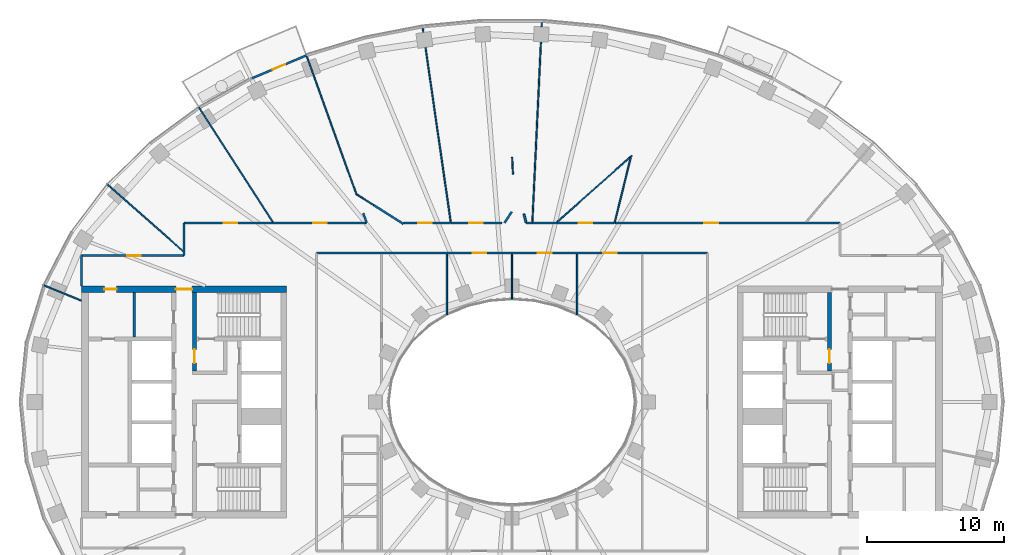
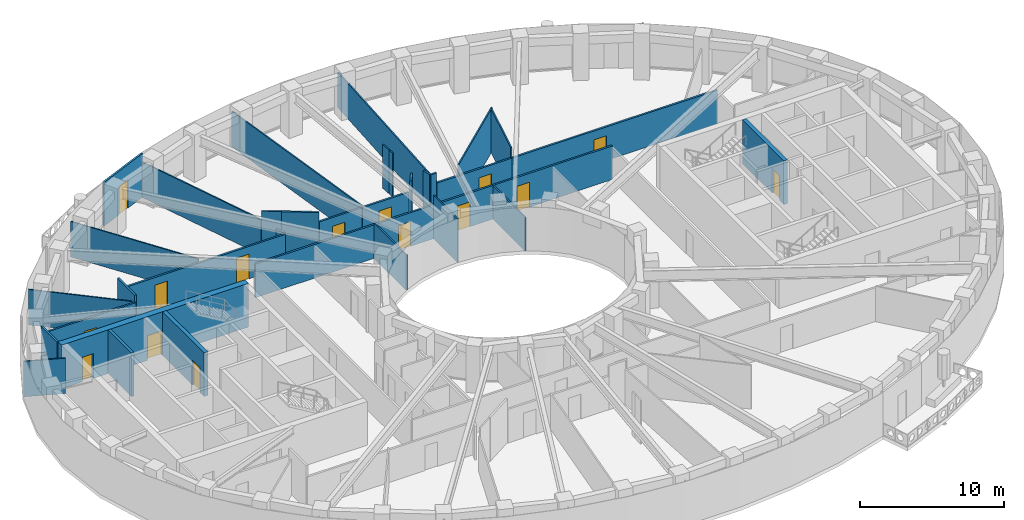
# One storey, part 6 of 15: 33 walls, 15 doors, 15 openings.
"""IFC4 building model written with IfcOpenShell, lengths in metres."""

from ifc_helpers import new_model, si_unit, direction, frame, frame_2d, origin, place, context, subcontext, project, spatial, rectangle, extrude, material, layer, layer_set, type_object, element, fill, save


model = new_model("IFC4")

# Units and contexts
model_context = context("Model", 3, precision=1e-05, world=origin(), true_north=direction((0.0, 1.0)))
body_context = subcontext(model_context, "Body", "Model", "MODEL_VIEW")
ifc_project = project(units=[si_unit("LENGTHUNIT", "METRE"), si_unit("AREAUNIT", "SQUARE_METRE"), si_unit("VOLUMEUNIT", "CUBIC_METRE"), si_unit("PLANEANGLEUNIT", "RADIAN"), si_unit("MASSUNIT", "GRAM", prefix="KILO")], contexts=[model_context])

# Site, building, storey
site_placement = place(None, origin())
site = spatial("IfcSite", under=ifc_project, at=site_placement, CompositionType="ELEMENT")
building_placement = place(site_placement, origin())
building = spatial("IfcBuilding", under=site, at=building_placement, Name="Noorbagh Ring Tower", CompositionType="ELEMENT")
storey_placement = place(building_placement, frame((0.0, 0.0, 241.5)))
storey = spatial("IfcBuildingStorey", under=building, at=storey_placement, Name="L50", CompositionType="ELEMENT", Elevation=241.5)

# Wall
ifc_material_1 = material(Name="Gypsum board on steel studs", Category="steel")
ifc_layer_1 = layer(ifc_material_1, 0.199951171875)
ifc_layer_set_1 = layer_set([ifc_layer_1], Name="Gypsum board on steel studs")
wall_type_1 = type_object("IfcWallType", Name="CORE-PARTITION-200", PredefinedType="PARTITIONING", material=ifc_layer_set_1)
wall_1_placement = place(storey_placement, frame((-27.64990234375, 4.75, 0.0), z_axis=(0.0, 0.0, 1.0), x_axis=(0.0, 1.0, 0.0)))
element("IfcWall", 1, at=wall_1_placement, inside=storey, type_object=wall_type_1, Name="Core partition W", PredefinedType="PARTITIONING", context=body_context, shape_type="SweptSolid", body=[
    extrude(rectangle(XDim=3.25, YDim=0.199951171875, at=frame_2d((1.625, 0.0))), origin(), (0.0, 0.0, 1.0), 3.699951171875),
])

# Wall, opening, door
ifc_material_2 = material(Name="Concrete C60/75", Category="concrete")
ifc_layer_2 = layer(ifc_material_2, 0.300048828125)
ifc_layer_set_2 = layer_set([ifc_layer_2], Name="Concrete C60/75")
wall_type_2 = type_object("IfcWallType", Name="CORE-WALL-300-C60-75-EI240", PredefinedType="SHEAR", material=ifc_layer_set_2)
wall_2_placement = place(storey_placement, frame((-23.22998046875, 2.25, 0.0), z_axis=(0.0, 0.0, 1.0), x_axis=(0.0, 1.0, 0.0)))
wall_2 = element("IfcWall", 2, at=wall_2_placement, inside=storey, type_object=wall_type_2, Name="Core wall W", PredefinedType="SHEAR", context=body_context, shape_type="SweptSolid", body=[
    extrude(rectangle(XDim=5.75, YDim=0.300048828125, at=frame_2d((2.875, 0.0))), origin(), (0.0, 0.0, 1.0), 3.699951171875),
])
opening_1_placement = place(wall_2_placement, frame((0.60009765625, 0.0, 0.0)))
opening_1 = element("IfcOpeningElement", 3, at=opening_1_placement, cuts=wall_2, Name="Opening L50-CW09", PredefinedType="OPENING", context=body_context, shape_type="SweptSolid", body=[
    extrude(rectangle(XDim=1.0, YDim=2.10009765625, at=frame_2d((0.5, 1.050048828125))), frame((0.0, 0.16015625, 0.0), z_axis=(0.0, -1.0, 0.0), x_axis=(1.0, 0.0, 0.0)), (0.0, 0.0, 1.0), 0.320068359375),
])
ifc_material_3 = material(Name="Steel door leaf", Category="steel")
door_type_1 = type_object("IfcDoorType", Name="CORE-DOOR-DVEST", OperationType="SINGLE_SWING_LEFT", PredefinedType="DOOR", material=ifc_material_3)
door_1_placement = place(opening_1_placement, origin())
door_1 = element("IfcDoor", 4, at=door_1_placement, inside=storey, type_object=door_type_1, Name="Stair vestibule door L50-CW09", OperationType="SINGLE_SWING_LEFT", OverallHeight=2.10009765625, OverallWidth=1.0, PredefinedType="DOOR", context=body_context, shape_type="SweptSolid", body=[
    extrude(rectangle(XDim=1.0, YDim=2.10009765625, at=frame_2d((0.5, 1.050048828125))), frame((0.0, 0.02490234375, 0.0), z_axis=(0.0, -1.0, 0.0), x_axis=(1.0, 0.0, 0.0)), (0.0, 0.0, 1.0), 0.050048828125),
])
fill(opening_1, door_1)

wall_3_placement = place(storey_placement, frame((23.22998046875, 2.25, 0.0), z_axis=(0.0, 0.0, 1.0), x_axis=(0.0, 1.0, 0.0)))
wall_3 = element("IfcWall", 5, at=wall_3_placement, inside=storey, type_object=wall_type_2, Name="Core wall E", PredefinedType="SHEAR", context=body_context, shape_type="SweptSolid", body=[
    extrude(rectangle(XDim=5.75, YDim=0.300048828125, at=frame_2d((2.875, 0.0))), origin(), (0.0, 0.0, 1.0), 3.699951171875),
])
opening_2_placement = place(wall_3_placement, frame((0.60009765625, 0.0, 0.0)))
opening_2 = element("IfcOpeningElement", 6, at=opening_2_placement, cuts=wall_3, Name="Opening L50-CE10", PredefinedType="OPENING", context=body_context, shape_type="SweptSolid", body=[
    extrude(rectangle(XDim=1.0, YDim=2.10009765625, at=frame_2d((0.5, 1.050048828125))), frame((0.0, 0.16015625, 0.0), z_axis=(0.0, -1.0, 0.0), x_axis=(1.0, 0.0, 0.0)), (0.0, 0.0, 1.0), 0.320068359375),
])
door_2_placement = place(opening_2_placement, origin())
door_2 = element("IfcDoor", 7, at=door_2_placement, inside=storey, type_object=door_type_1, Name="Stair vestibule door L50-CE10", OperationType="SINGLE_SWING_RIGHT", OverallHeight=2.10009765625, OverallWidth=1.0, PredefinedType="DOOR", context=body_context, shape_type="SweptSolid", body=[
    extrude(rectangle(XDim=1.0, YDim=2.10009765625, at=frame_2d((0.5, 1.050048828125))), frame((0.0, 0.02490234375, 0.0), z_axis=(0.0, -1.0, 0.0), x_axis=(1.0, 0.0, 0.0)), (0.0, 0.0, 1.0), 0.050048828125),
])
fill(opening_2, door_2)

# Wall, openings, doors
ifc_material_4 = material(Name="Concrete C60/75", Category="concrete")
ifc_layer_3 = layer(ifc_material_4, 0.5)
ifc_layer_set_3 = layer_set([ifc_layer_3], Name="Concrete C60/75")
wall_type_3 = type_object("IfcWallType", Name="CORE-WALL-500-C60-75-EI240", PredefinedType="SHEAR", material=ifc_layer_set_3)
wall_4_placement = place(storey_placement, frame((-16.5, 8.25, 0.0), z_axis=(0.0, 0.0, 1.0), x_axis=(-1.0, 0.0, 0.0)))
wall_4 = element("IfcWall", 8, at=wall_4_placement, inside=storey, type_object=wall_type_3, Name="Core wall W", PredefinedType="SHEAR", context=body_context, shape_type="SweptSolid", body=[
    extrude(rectangle(XDim=15.0, YDim=0.5, at=frame_2d((7.5, 0.0))), origin(), (0.0, 0.0, 1.0), 3.699951171875),
])
opening_3_placement = place(wall_4_placement, frame((6.89990234375, 0.0, 0.0)))
opening_3 = element("IfcOpeningElement", 9, at=opening_3_placement, cuts=wall_4, Name="Opening L50-CW10", PredefinedType="OPENING", context=body_context, shape_type="SweptSolid", body=[
    extrude(rectangle(XDim=1.199951171875, YDim=2.10009765625, at=frame_2d((0.60009765625, 1.050048828125))), frame((0.0, 0.260009765625, 0.0), z_axis=(0.0, -1.0, 0.0), x_axis=(1.0, 0.0, 0.0)), (0.0, 0.0, 1.0), 0.52001953125),
])
opening_4_placement = place(wall_4_placement, frame((12.425048828125, 0.0, 0.0)))
opening_4 = element("IfcOpeningElement", 10, at=opening_4_placement, cuts=wall_4, Name="Opening L50-CW13", PredefinedType="OPENING", context=body_context, shape_type="SweptSolid", body=[
    extrude(rectangle(XDim=0.89990234375, YDim=2.10009765625, at=frame_2d((0.449951171875, 1.050048828125))), frame((0.0, 0.260009765625, 0.0), z_axis=(0.0, -1.0, 0.0), x_axis=(1.0, 0.0, 0.0)), (0.0, 0.0, 1.0), 0.52001953125),
])
ifc_material_5 = material(Name="Steel door leaf", Category="steel")
door_type_2 = type_object("IfcDoorType", Name="CORE-DOOR-DROOM", OperationType="SINGLE_SWING_LEFT", PredefinedType="DOOR", material=ifc_material_5)
door_3_placement = place(opening_4_placement, origin())
door_3 = element("IfcDoor", 11, at=door_3_placement, inside=storey, type_object=door_type_2, Name="Core room door L50-CW13", OperationType="SINGLE_SWING_RIGHT", OverallHeight=2.10009765625, OverallWidth=0.89990234375, PredefinedType="DOOR", context=body_context, shape_type="SweptSolid", body=[
    extrude(rectangle(XDim=0.89990234375, YDim=2.10009765625, at=frame_2d((0.449951171875, 1.050048828125))), frame((0.0, 0.02490234375, 0.0), z_axis=(0.0, -1.0, 0.0), x_axis=(1.0, 0.0, 0.0)), (0.0, 0.0, 1.0), 0.050048828125),
])
fill(opening_4, door_3)
ifc_material_6 = material(Name="Steel door leaf", Category="steel")
door_type_3 = type_object("IfcDoorType", Name="CORE-DOOR-PORT", OperationType="DOUBLE_DOOR_DOUBLE_SWING", PredefinedType="DOOR", material=ifc_material_6)
door_4_placement = place(opening_3_placement, origin())
door_4 = element("IfcDoor", 12, at=door_4_placement, inside=storey, type_object=door_type_3, Name="Core entrance door L50-CW10", OperationType="DOUBLE_DOOR_DOUBLE_SWING", OverallHeight=2.10009765625, OverallWidth=1.199951171875, PredefinedType="DOOR", context=body_context, shape_type="SweptSolid", body=[
    extrude(rectangle(XDim=1.199951171875, YDim=2.10009765625, at=frame_2d((0.60009765625, 1.050048828125))), frame((0.0, 0.02490234375, 0.0), z_axis=(0.0, -1.0, 0.0), x_axis=(1.0, 0.0, 0.0)), (0.0, 0.0, 1.0), 0.050048828125),
])
fill(opening_3, door_4)

# Wall
ifc_material_7 = material(Name="Gypsum board on steel studs", Category="steel")
ifc_layer_4 = layer(ifc_material_7, 0.14990234375)
ifc_layer_set_4 = layer_set([ifc_layer_4], Name="Gypsum board on steel studs")
wall_type_4 = type_object("IfcWallType", Name="CORRIDOR PARTITION 150 EI 30", PredefinedType="PARTITIONING", material=ifc_layer_set_4)
wall_5_placement = place(storey_placement, frame((-31.5, 8.5, 0.0), z_axis=(0.0, 0.0, 1.0), x_axis=(0.0, 1.0, 0.0)))
element("IfcWall", 13, at=wall_5_placement, inside=storey, type_object=wall_type_4, Name="L50/wall/P04", PredefinedType="PARTITIONING", context=body_context, shape_type="SweptSolid", body=[
    extrude(rectangle(XDim=2.199951171875, YDim=0.14990234375, at=frame_2d((1.10009765625, 0.0))), origin(), (0.0, 0.0, 1.0), 3.699951171875),
])

# Wall, opening, door
wall_6_placement = place(storey_placement, frame((-31.5, 10.699951171875, 0.0), z_axis=(0.0, 0.0, 1.0), x_axis=(1.0, 0.0, 0.0)))
wall_6 = element("IfcWall", 14, at=wall_6_placement, inside=storey, type_object=wall_type_4, Name="L50/wall/P05", PredefinedType="PARTITIONING", context=body_context, shape_type="SweptSolid", body=[
    extrude(rectangle(XDim=7.5, YDim=0.14990234375, at=frame_2d((3.75, 0.0))), origin(), (0.0, 0.0, 1.0), 3.10009765625),
])
opening_5_placement = place(wall_6_placement, frame((3.35009765625, 0.0, 0.0)))
opening_5 = element("IfcOpeningElement", 15, at=opening_5_placement, cuts=wall_6, Name="Opening D1", PredefinedType="OPENING", context=body_context, shape_type="SweptSolid", body=[
    extrude(rectangle(XDim=1.0, YDim=2.10009765625, at=frame_2d((0.5, 1.050048828125))), frame((0.0, 0.0849609375, 0.0), z_axis=(0.0, -1.0, 0.0), x_axis=(1.0, 0.0, 0.0)), (0.0, 0.0, 1.0), 0.169921875),
])
ifc_material_8 = material(Name="Timber, painted", Category="wood")
door_type_4 = type_object("IfcDoorType", Name="DOOR 1000 X 2100 FD30", OperationType="SINGLE_SWING_LEFT", PredefinedType="DOOR", material=ifc_material_8)
door_5_placement = place(opening_5_placement, origin())
door_5 = element("IfcDoor", 16, at=door_5_placement, inside=storey, type_object=door_type_4, Name="L50-D07", OperationType="SINGLE_SWING_LEFT", OverallHeight=2.10009765625, OverallWidth=1.0, PredefinedType="DOOR", context=body_context, shape_type="SweptSolid", body=[
    extrude(rectangle(XDim=1.0, YDim=2.10009765625, at=frame_2d((0.5, 1.050048828125))), frame((0.0, 0.02490234375, 0.0), z_axis=(0.0, -1.0, 0.0), x_axis=(1.0, 0.0, 0.0)), (0.0, 0.0, 1.0), 0.050048828125),
])
fill(opening_5, door_5)

# Wall
wall_7_placement = place(storey_placement, frame((-24.0, 10.699951171875, 0.0), z_axis=(0.0, 0.0, 1.0), x_axis=(0.0, 1.0, 0.0)))
element("IfcWall", 17, at=wall_7_placement, inside=storey, type_object=wall_type_4, Name="L50/wall/P10", PredefinedType="PARTITIONING", context=body_context, shape_type="SweptSolid", body=[
    extrude(rectangle(XDim=2.400146484375, YDim=0.14990234375, at=frame_2d((1.2001953125, 0.0))), origin(), (0.0, 0.0, 1.0), 3.699951171875),
])

# Wall, openings, doors
wall_8_placement = place(storey_placement, frame((-24.0, 13.10009765625, 0.0), z_axis=(0.0, 0.0, 1.0), x_axis=(1.0, 0.0, 0.0)))
wall_8 = element("IfcWall", 18, at=wall_8_placement, inside=storey, type_object=wall_type_4, Name="L50/wall/P11", PredefinedType="PARTITIONING", context=body_context, shape_type="SweptSolid", body=[
    extrude(rectangle(XDim=13.35693359375, YDim=0.14990234375, at=frame_2d((6.678466796875, 0.0))), origin(), (0.0, 0.0, 1.0), 2.75),
])
opening_6_placement = place(wall_8_placement, frame((2.89306640625, 0.0, 0.0)))
opening_6 = element("IfcOpeningElement", 19, at=opening_6_placement, cuts=wall_8, Name="Opening D1", PredefinedType="OPENING", context=body_context, shape_type="SweptSolid", body=[
    extrude(rectangle(XDim=1.0, YDim=2.10009765625, at=frame_2d((0.5, 1.050048828125))), frame((0.0, 0.0849609375, 0.0), z_axis=(0.0, -1.0, 0.0), x_axis=(1.0, 0.0, 0.0)), (0.0, 0.0, 1.0), 0.169921875),
])
opening_7_placement = place(wall_8_placement, frame((9.45703125, 0.0, 0.0)))
opening_7 = element("IfcOpeningElement", 20, at=opening_7_placement, cuts=wall_8, Name="Opening D1", PredefinedType="OPENING", context=body_context, shape_type="SweptSolid", body=[
    extrude(rectangle(XDim=1.0, YDim=2.10009765625, at=frame_2d((0.5, 1.050048828125))), frame((0.0, 0.0849609375, 0.0), z_axis=(0.0, -1.0, 0.0), x_axis=(1.0, 0.0, 0.0)), (0.0, 0.0, 1.0), 0.169921875),
])
door_6_placement = place(opening_6_placement, origin())
door_6 = element("IfcDoor", 21, at=door_6_placement, inside=storey, type_object=door_type_4, Name="L50-D09", OperationType="SINGLE_SWING_LEFT", OverallHeight=2.10009765625, OverallWidth=1.0, PredefinedType="DOOR", context=body_context, shape_type="SweptSolid", body=[
    extrude(rectangle(XDim=1.0, YDim=2.10009765625, at=frame_2d((0.5, 1.050048828125))), frame((0.0, 0.02490234375, 0.0), z_axis=(0.0, -1.0, 0.0), x_axis=(1.0, 0.0, 0.0)), (0.0, 0.0, 1.0), 0.050048828125),
])
fill(opening_6, door_6)
door_7_placement = place(opening_7_placement, origin())
door_7 = element("IfcDoor", 22, at=door_7_placement, inside=storey, type_object=door_type_4, Name="L50-D11", OperationType="SINGLE_SWING_LEFT", OverallHeight=2.10009765625, OverallWidth=1.0, PredefinedType="DOOR", context=body_context, shape_type="SweptSolid", body=[
    extrude(rectangle(XDim=1.0, YDim=2.10009765625, at=frame_2d((0.5, 1.050048828125))), frame((0.0, 0.02490234375, 0.0), z_axis=(0.0, -1.0, 0.0), x_axis=(1.0, 0.0, 0.0)), (0.0, 0.0, 1.0), 0.050048828125),
])
fill(opening_7, door_7)

wall_9_placement = place(storey_placement, frame((-14.300048828125, 10.89990234375, 0.0), z_axis=(0.0, 0.0, 1.0), x_axis=(1.0, 0.0, 0.0)))
wall_9 = element("IfcWall", 23, at=wall_9_placement, inside=storey, type_object=wall_type_4, Name="L50/wall/P18", PredefinedType="PARTITIONING", context=body_context, shape_type="SweptSolid", body=[
    extrude(rectangle(XDim=28.60009765625, YDim=0.14990234375, at=frame_2d((14.300048828125, 0.0))), origin(), (0.0, 0.0, 1.0), 2.85009765625),
])
opening_8_placement = place(wall_9_placement, frame((11.43310546875, 0.0, 0.0)))
opening_8 = element("IfcOpeningElement", 24, at=opening_8_placement, cuts=wall_9, Name="Opening D1", PredefinedType="OPENING", context=body_context, shape_type="SweptSolid", body=[
    extrude(rectangle(XDim=1.0, YDim=2.10009765625, at=frame_2d((0.5, 1.050048828125))), frame((0.0, 0.0849609375, 0.0), z_axis=(0.0, -1.0, 0.0), x_axis=(1.0, 0.0, 0.0)), (0.0, 0.0, 1.0), 0.169921875),
])
opening_9_placement = place(wall_9_placement, frame((16.199951171875, 0.0, 0.0)))
opening_9 = element("IfcOpeningElement", 25, at=opening_9_placement, cuts=wall_9, Name="Opening D1", PredefinedType="OPENING", context=body_context, shape_type="SweptSolid", body=[
    extrude(rectangle(XDim=1.0, YDim=2.10009765625, at=frame_2d((0.5, 1.050048828125))), frame((0.0, 0.0849609375, 0.0), z_axis=(0.0, -1.0, 0.0), x_axis=(1.0, 0.0, 0.0)), (0.0, 0.0, 1.0), 0.169921875),
])
opening_10_placement = place(wall_9_placement, frame((20.967041015625, 0.0, 0.0)))
opening_10 = element("IfcOpeningElement", 26, at=opening_10_placement, cuts=wall_9, Name="Opening D1", PredefinedType="OPENING", context=body_context, shape_type="SweptSolid", body=[
    extrude(rectangle(XDim=1.0, YDim=2.10009765625, at=frame_2d((0.5, 1.050048828125))), frame((0.0, 0.0849609375, 0.0), z_axis=(0.0, -1.0, 0.0), x_axis=(1.0, 0.0, 0.0)), (0.0, 0.0, 1.0), 0.169921875),
])
door_8_placement = place(opening_8_placement, origin())
door_8 = element("IfcDoor", 27, at=door_8_placement, inside=storey, type_object=door_type_4, Name="L50-D26", OperationType="SINGLE_SWING_RIGHT", OverallHeight=2.10009765625, OverallWidth=1.0, PredefinedType="DOOR", context=body_context, shape_type="SweptSolid", body=[
    extrude(rectangle(XDim=1.0, YDim=2.10009765625, at=frame_2d((0.5, 1.050048828125))), frame((0.0, 0.02490234375, 0.0), z_axis=(0.0, -1.0, 0.0), x_axis=(1.0, 0.0, 0.0)), (0.0, 0.0, 1.0), 0.050048828125),
])
fill(opening_8, door_8)
door_9_placement = place(opening_9_placement, origin())
door_9 = element("IfcDoor", 28, at=door_9_placement, inside=storey, type_object=door_type_4, Name="L50-D28", OperationType="SINGLE_SWING_RIGHT", OverallHeight=2.10009765625, OverallWidth=1.0, PredefinedType="DOOR", context=body_context, shape_type="SweptSolid", body=[
    extrude(rectangle(XDim=1.0, YDim=2.10009765625, at=frame_2d((0.5, 1.050048828125))), frame((0.0, 0.02490234375, 0.0), z_axis=(0.0, -1.0, 0.0), x_axis=(1.0, 0.0, 0.0)), (0.0, 0.0, 1.0), 0.050048828125),
])
fill(opening_9, door_9)
door_10_placement = place(opening_10_placement, origin())
door_10 = element("IfcDoor", 29, at=door_10_placement, inside=storey, type_object=door_type_4, Name="L50-D29", OperationType="SINGLE_SWING_LEFT", OverallHeight=2.10009765625, OverallWidth=1.0, PredefinedType="DOOR", context=body_context, shape_type="SweptSolid", body=[
    extrude(rectangle(XDim=1.0, YDim=2.10009765625, at=frame_2d((0.5, 1.050048828125))), frame((0.0, 0.02490234375, 0.0), z_axis=(0.0, -1.0, 0.0), x_axis=(1.0, 0.0, 0.0)), (0.0, 0.0, 1.0), 0.050048828125),
])
fill(opening_10, door_10)

# Walls
wall_10_placement = place(storey_placement, frame((-10.887939453125, 13.81396484375, 0.0), z_axis=(0.0, 0.0, 1.0), x_axis=(0.337396703232, -0.941362557492, 0.0)))
element("IfcWall", 30, at=wall_10_placement, inside=storey, type_object=wall_type_4, Name="L50/wall/P28", PredefinedType="PARTITIONING", context=body_context, shape_type="SweptSolid", body=[
    extrude(rectangle(XDim=0.75830078125, YDim=0.14990234375, at=frame_2d((0.379150390625, 0.0))), origin(), (0.0, 0.0, 1.0), 2.85009765625),
])
wall_11_placement = place(storey_placement, frame((-10.136962890625, 14.4130859375, 0.0), z_axis=(0.0, 0.0, 1.0), x_axis=(0.844665601723, -0.535294331434, 0.0)))
element("IfcWall", 31, at=wall_11_placement, inside=storey, type_object=wall_type_4, Name="L50/wall/P30", PredefinedType="PARTITIONING", context=body_context, shape_type="SweptSolid", body=[
    extrude(rectangle(XDim=2.589111328125, YDim=0.14990234375, at=frame_2d((1.29443359375, 0.0))), origin(), (0.0, 0.0, 1.0), 3.699951171875),
])

# Wall, opening, door
wall_12_placement = place(storey_placement, frame((-7.925048828125, 13.10009765625, 0.0), z_axis=(0.0, 0.0, 1.0), x_axis=(1.0, 0.0, 0.0)))
wall_12 = element("IfcWall", 32, at=wall_12_placement, inside=storey, type_object=wall_type_4, Name="L50/wall/P35", PredefinedType="PARTITIONING", context=body_context, shape_type="SweptSolid", body=[
    extrude(rectangle(XDim=3.43212890625, YDim=0.14990234375, at=frame_2d((1.716064453125, 0.0))), origin(), (0.0, 0.0, 1.0), 2.85009765625),
])
opening_11_placement = place(wall_12_placement, frame((1.052001953125, 0.0, 0.0)))
opening_11 = element("IfcOpeningElement", 33, at=opening_11_placement, cuts=wall_12, Name="Opening D1", PredefinedType="OPENING", context=body_context, shape_type="SweptSolid", body=[
    extrude(rectangle(XDim=1.0, YDim=2.10009765625, at=frame_2d((0.5, 1.050048828125))), frame((0.0, 0.0849609375, 0.0), z_axis=(0.0, -1.0, 0.0), x_axis=(1.0, 0.0, 0.0)), (0.0, 0.0, 1.0), 0.169921875),
])
door_11_placement = place(opening_11_placement, origin())
door_11 = element("IfcDoor", 34, at=door_11_placement, inside=storey, type_object=door_type_4, Name="L50-D13", OperationType="SINGLE_SWING_LEFT", OverallHeight=2.10009765625, OverallWidth=1.0, PredefinedType="DOOR", context=body_context, shape_type="SweptSolid", body=[
    extrude(rectangle(XDim=1.0, YDim=2.10009765625, at=frame_2d((0.5, 1.050048828125))), frame((0.0, 0.02490234375, 0.0), z_axis=(0.0, -1.0, 0.0), x_axis=(1.0, 0.0, 0.0)), (0.0, 0.0, 1.0), 0.050048828125),
])
fill(opening_11, door_11)

wall_13_placement = place(storey_placement, frame((-4.472900390625, 13.10009765625, 0.0), z_axis=(0.0, 0.0, 1.0), x_axis=(1.0, 0.0, 0.0)))
wall_13 = element("IfcWall", 35, at=wall_13_placement, inside=storey, type_object=wall_type_4, Name="L50/wall/P41", PredefinedType="PARTITIONING", context=body_context, shape_type="SweptSolid", body=[
    extrude(rectangle(XDim=3.745849609375, YDim=0.14990234375, at=frame_2d((1.873046875, 0.0))), origin(), (0.0, 0.0, 1.0), 2.85009765625),
])
opening_12_placement = place(wall_13_placement, frame((1.345947265625, 0.0, 0.0)))
opening_12 = element("IfcOpeningElement", 36, at=opening_12_placement, cuts=wall_13, Name="Opening D1", PredefinedType="OPENING", context=body_context, shape_type="SweptSolid", body=[
    extrude(rectangle(XDim=1.0, YDim=2.10009765625, at=frame_2d((0.5, 1.050048828125))), frame((0.0, 0.0849609375, 0.0), z_axis=(0.0, -1.0, 0.0), x_axis=(1.0, 0.0, 0.0)), (0.0, 0.0, 1.0), 0.169921875),
])
door_12_placement = place(opening_12_placement, origin())
door_12 = element("IfcDoor", 37, at=door_12_placement, inside=storey, type_object=door_type_4, Name="L50-D15", OperationType="SINGLE_SWING_LEFT", OverallHeight=2.10009765625, OverallWidth=1.0, PredefinedType="DOOR", context=body_context, shape_type="SweptSolid", body=[
    extrude(rectangle(XDim=1.0, YDim=2.10009765625, at=frame_2d((0.5, 1.050048828125))), frame((0.0, 0.02490234375, 0.0), z_axis=(0.0, -1.0, 0.0), x_axis=(1.0, 0.0, 0.0)), (0.0, 0.0, 1.0), 0.050048828125),
])
fill(opening_12, door_12)

# Walls
wall_14_placement = place(storey_placement, frame((-0.547119140625, 13.10009765625, 0.0), z_axis=(0.0, 0.0, 1.0), x_axis=(0.542339737234, 0.840159276219, 0.0)))
element("IfcWall", 38, at=wall_14_placement, inside=storey, type_object=wall_type_4, Name="L50/wall/P42", PredefinedType="PARTITIONING", context=body_context, shape_type="SweptSolid", body=[
    extrude(rectangle(XDim=0.966552734375, YDim=0.14990234375, at=frame_2d((0.4833984375, 0.0))), origin(), (0.0, 0.0, 1.0), 3.699951171875),
])
wall_15_placement = place(storey_placement, frame((0.873046875, 13.760986328125, 0.0), z_axis=(0.0, 0.0, 1.0), x_axis=(0.238885150178, -0.971047828392, 0.0)))
element("IfcWall", 39, at=wall_15_placement, inside=storey, type_object=wall_type_4, Name="L50/wall/P50", PredefinedType="PARTITIONING", context=body_context, shape_type="SweptSolid", body=[
    extrude(rectangle(XDim=0.6611328125, YDim=0.14990234375, at=frame_2d((0.33056640625, 0.0))), origin(), (0.0, 0.0, 1.0), 3.699951171875),
])
wall_16_placement = place(storey_placement, frame((1.035888671875, 13.10009765625, 0.0), z_axis=(0.0, 0.0, 1.0), x_axis=(1.0, 0.0, 0.0)))
element("IfcWall", 40, at=wall_16_placement, inside=storey, type_object=wall_type_4, Name="L50/wall/P51", PredefinedType="PARTITIONING", context=body_context, shape_type="SweptSolid", body=[
    extrude(rectangle(XDim=0.4501953125, YDim=0.14990234375, at=frame_2d((0.22509765625, 0.0))), origin(), (0.0, 0.0, 1.0), 3.699951171875),
])

# Wall, opening, door
wall_17_placement = place(storey_placement, frame((1.506103515625, 13.10009765625, 0.0), z_axis=(0.0, 0.0, 1.0), x_axis=(1.0, 0.0, 0.0)))
wall_17 = element("IfcWall", 41, at=wall_17_placement, inside=storey, type_object=wall_type_4, Name="L50/wall/P55", PredefinedType="PARTITIONING", context=body_context, shape_type="SweptSolid", body=[
    extrude(rectangle(XDim=6.0009765625, YDim=0.14990234375, at=frame_2d((3.00048828125, 0.0))), origin(), (0.0, 0.0, 1.0), 2.85009765625),
])
opening_13_placement = place(wall_17_placement, frame((3.367919921875, 0.0, 0.0)))
opening_13 = element("IfcOpeningElement", 42, at=opening_13_placement, cuts=wall_17, Name="Opening D1", PredefinedType="OPENING", context=body_context, shape_type="SweptSolid", body=[
    extrude(rectangle(XDim=1.0, YDim=2.10009765625, at=frame_2d((0.5, 1.050048828125))), frame((0.0, 0.0849609375, 0.0), z_axis=(0.0, -1.0, 0.0), x_axis=(1.0, 0.0, 0.0)), (0.0, 0.0, 1.0), 0.169921875),
])
door_13_placement = place(opening_13_placement, origin())
door_13 = element("IfcDoor", 43, at=door_13_placement, inside=storey, type_object=door_type_4, Name="L50-D17", OperationType="SINGLE_SWING_LEFT", OverallHeight=2.10009765625, OverallWidth=1.0, PredefinedType="DOOR", context=body_context, shape_type="SweptSolid", body=[
    extrude(rectangle(XDim=1.0, YDim=2.10009765625, at=frame_2d((0.5, 1.050048828125))), frame((0.0, 0.02490234375, 0.0), z_axis=(0.0, -1.0, 0.0), x_axis=(1.0, 0.0, 0.0)), (0.0, 0.0, 1.0), 0.050048828125),
])
fill(opening_13, door_13)

wall_18_placement = place(storey_placement, frame((7.52392578125, 13.10009765625, 0.0), z_axis=(0.0, 0.0, 1.0), x_axis=(1.0, 0.0, 0.0)))
wall_18 = element("IfcWall", 44, at=wall_18_placement, inside=storey, type_object=wall_type_4, Name="L50/wall/P63", PredefinedType="PARTITIONING", context=body_context, shape_type="SweptSolid", body=[
    extrude(rectangle(XDim=16.47607421875, YDim=0.14990234375, at=frame_2d((8.238037109375, 0.0))), origin(), (0.0, 0.0, 1.0), 2.85009765625),
])
opening_14_placement = place(wall_18_placement, frame((6.56005859375, 0.0, 0.0)))
opening_14 = element("IfcOpeningElement", 45, at=opening_14_placement, cuts=wall_18, Name="Opening D1", PredefinedType="OPENING", context=body_context, shape_type="SweptSolid", body=[
    extrude(rectangle(XDim=1.0, YDim=2.10009765625, at=frame_2d((0.5, 1.050048828125))), frame((0.0, 0.0849609375, 0.0), z_axis=(0.0, -1.0, 0.0), x_axis=(1.0, 0.0, 0.0)), (0.0, 0.0, 1.0), 0.169921875),
])
door_14_placement = place(opening_14_placement, origin())
door_14 = element("IfcDoor", 46, at=door_14_placement, inside=storey, type_object=door_type_4, Name="L50-D19", OperationType="SINGLE_SWING_LEFT", OverallHeight=2.10009765625, OverallWidth=1.0, PredefinedType="DOOR", context=body_context, shape_type="SweptSolid", body=[
    extrude(rectangle(XDim=1.0, YDim=2.10009765625, at=frame_2d((0.5, 1.050048828125))), frame((0.0, 0.02490234375, 0.0), z_axis=(0.0, -1.0, 0.0), x_axis=(1.0, 0.0, 0.0)), (0.0, 0.0, 1.0), 0.050048828125),
])
fill(opening_14, door_14)

ifc_material_9 = material(Name="Insulated aluminium clad panel", Category="aluminium")
ifc_layer_5 = layer(ifc_material_9, 0.14990234375)
ifc_layer_set_5 = layer_set([ifc_layer_5], Name="Insulated aluminium clad panel")
wall_type_5 = type_object("IfcWallType", Name="ENV-WALL-DOOR", PredefinedType="STANDARD", material=ifc_layer_set_5)
wall_19_placement = place(storey_placement, frame((-15.017822265625, 25.368896484375, 0.0), z_axis=(0.0, 0.0, 1.0), x_axis=(-0.921816985161, -0.387625393736, 0.0)))
wall_19 = element("IfcWall", 47, at=wall_19_placement, inside=storey, type_object=wall_type_5, Name="Balcony door wall chord 16", PredefinedType="STANDARD", context=body_context, shape_type="SweptSolid", body=[
    extrude(rectangle(XDim=4.42578125, YDim=0.14990234375, at=frame_2d((2.212890625, 0.0))), origin(), (0.0, 0.0, 1.0), 3.699951171875),
])
opening_15_placement = place(wall_19_placement, frame((1.712890625, 0.0, 0.0)))
opening_15 = element("IfcOpeningElement", 48, at=opening_15_placement, cuts=wall_19, Name="Opening D-BL", PredefinedType="OPENING", context=body_context, shape_type="SweptSolid", body=[
    extrude(rectangle(XDim=1.0, YDim=2.39990234375, at=frame_2d((0.5, 1.199951171875))), frame((0.0, 0.0849609375, 0.0), z_axis=(0.0, -1.0, 0.0), x_axis=(1.0, 0.0, 0.0)), (0.0, 0.0, 1.0), 0.169921875),
])
ifc_material_10 = material(Name="Aluminium and glass", Category="aluminium")
door_type_5 = type_object("IfcDoorType", Name="ENV-DOOR-BALCONY", OperationType="SINGLE_SWING_LEFT", PredefinedType="DOOR", material=ifc_material_10)
door_15_placement = place(opening_15_placement, origin())
door_15 = element("IfcDoor", 49, at=door_15_placement, inside=storey, type_object=door_type_5, Name="Balcony door chord 16", OperationType="SINGLE_SWING_LEFT", OverallHeight=2.39990234375, OverallWidth=1.0, PredefinedType="DOOR", context=body_context, shape_type="SweptSolid", body=[
    extrude(rectangle(XDim=1.0, YDim=2.39990234375, at=frame_2d((0.5, 1.199951171875))), frame((0.0, 0.02490234375, 0.0), z_axis=(0.0, -1.0, 0.0), x_axis=(1.0, 0.0, 0.0)), (0.0, 0.0, 1.0), 0.050048828125),
])
fill(opening_15, door_15)

# Walls
ifc_material_11 = material(Name="Gypsum board on steel studs", Category="steel")
ifc_layer_6 = layer(ifc_material_11, 0.10009765625)
ifc_layer_set_6 = layer_set([ifc_layer_6], Name="Gypsum board on steel studs")
wall_type_6 = type_object("IfcWallType", Name="PARTITION 100 GYPSUM", PredefinedType="PARTITIONING", material=ifc_layer_set_6)
wall_20_placement = place(storey_placement, frame((-34.23388671875, 8.530029296875, 0.0), z_axis=(0.0, 0.0, 1.0), x_axis=(0.925344112436, -0.379128307542, 0.0)))
element("IfcWall", 50, at=wall_20_placement, inside=storey, type_object=wall_type_6, Name="L50/wall/P01", PredefinedType="PARTITIONING", context=body_context, shape_type="SweptSolid", body=[
    extrude(rectangle(XDim=2.954345703125, YDim=0.10009765625, at=frame_2d((1.47705078125, 0.0))), origin(), (0.0, 0.0, 1.0), 3.0),
])
wall_21_placement = place(storey_placement, frame((-29.569091796875, 15.89501953125, 0.0), z_axis=(0.0, 0.0, 1.0), x_axis=(0.748936848479, -0.662641378869, 0.0)))
element("IfcWall", 51, at=wall_21_placement, inside=storey, type_object=wall_type_6, Name="L50/wall/P07", PredefinedType="PARTITIONING", context=body_context, shape_type="SweptSolid", body=[
    extrude(rectangle(XDim=7.3359375, YDim=0.10009765625, at=frame_2d((3.66796875, 0.0))), origin(), (0.0, 0.0, 1.0), 3.0),
])
wall_22_placement = place(storey_placement, frame((-22.905029296875, 21.5419921875, 0.0), z_axis=(0.0, 0.0, 1.0), x_axis=(0.542277075573, -0.840199722273, 0.0)))
element("IfcWall", 52, at=wall_22_placement, inside=storey, type_object=wall_type_6, Name="L50/wall/P13", PredefinedType="PARTITIONING", context=body_context, shape_type="SweptSolid", body=[
    extrude(rectangle(XDim=9.958251953125, YDim=0.10009765625, at=frame_2d((4.97900390625, 0.0))), origin(), (0.0, 0.0, 1.0), 3.0),
])
wall_23_placement = place(storey_placement, frame((-15.048095703125, 25.383056640625, 0.0), z_axis=(0.0, 0.0, 1.0), x_axis=(0.338406105684, -0.941000163462, 0.0)))
element("IfcWall", 53, at=wall_23_placement, inside=storey, type_object=wall_type_6, Name="L50/wall/P15", PredefinedType="PARTITIONING", context=body_context, shape_type="SweptSolid", body=[
    extrude(rectangle(XDim=10.898193359375, YDim=0.10009765625, at=frame_2d((5.44921875, 0.0))), origin(), (0.0, 0.0, 1.0), 3.0),
])
wall_24_placement = place(storey_placement, frame((-11.319091796875, 15.160888671875, 0.0), z_axis=(0.0, 0.0, 1.0), x_axis=(0.845102975348, -0.534603555037, 0.0)))
element("IfcWall", 54, at=wall_24_placement, inside=storey, type_object=wall_type_6, Name="L50/wall/P26", PredefinedType="PARTITIONING", context=body_context, shape_type="SweptSolid", body=[
    extrude(rectangle(XDim=1.398681640625, YDim=0.10009765625, at=frame_2d((0.69921875, 0.0))), origin(), (0.0, 0.0, 1.0), 3.699951171875),
])
wall_25_placement = place(storey_placement, frame((-6.552001953125, 27.48095703125, 0.0), z_axis=(0.0, 0.0, 1.0), x_axis=(0.143086579044, -0.989710175202, 0.0)))
element("IfcWall", 55, at=wall_25_placement, inside=storey, type_object=wall_type_6, Name="L50/wall/P37", PredefinedType="PARTITIONING", context=body_context, shape_type="SweptSolid", body=[
    extrude(rectangle(XDim=14.5302734375, YDim=0.10009765625, at=frame_2d((7.26513671875, 0.0))), origin(), (0.0, 0.0, 1.0), 3.0),
])
wall_26_placement = place(storey_placement, frame((-4.76708984375, 6.363037109375, 0.0), z_axis=(0.0, 0.0, 1.0), x_axis=(0.0, 1.0, 0.0)))
element("IfcWall", 56, at=wall_26_placement, inside=storey, type_object=wall_type_6, Name="L50/wall/P39", PredefinedType="PARTITIONING", context=body_context, shape_type="SweptSolid", body=[
    extrude(rectangle(XDim=4.4619140625, YDim=0.10009765625, at=frame_2d((2.23095703125, 0.0))), origin(), (0.0, 0.0, 1.0), 3.0),
])
wall_27_placement = place(storey_placement, frame((0.0, 7.50390625, 0.0), z_axis=(0.0, 0.0, 1.0), x_axis=(0.0, 1.0, 0.0)))
element("IfcWall", 57, at=wall_27_placement, inside=storey, type_object=wall_type_6, Name="L50/wall/P44", PredefinedType="PARTITIONING", context=body_context, shape_type="SweptSolid", body=[
    extrude(rectangle(XDim=3.321044921875, YDim=0.10009765625, at=frame_2d((1.66064453125, 0.0))), origin(), (0.0, 0.0, 1.0), 3.699951171875),
])
wall_28_placement = place(storey_placement, frame((0.010986328125, 17.89697265625, 0.0), z_axis=(0.0, 0.0, 1.0), x_axis=(0.046977779105, -0.998895934655, 0.0)))
element("IfcWall", 58, at=wall_28_placement, inside=storey, type_object=wall_type_6, Name="L50/wall/P46", PredefinedType="PARTITIONING", context=body_context, shape_type="SweptSolid", body=[
    extrude(rectangle(XDim=0.7900390625, YDim=0.10009765625, at=frame_2d((0.39501953125, 0.0))), origin(), (0.0, 0.0, 1.0), 3.699951171875),
])
wall_29_placement = place(storey_placement, frame((0.049072265625, 17.0810546875, 0.0), z_axis=(0.0, 0.0, 1.0), x_axis=(0.047373011006, -0.998877268651, 0.0)))
element("IfcWall", 59, at=wall_29_placement, inside=storey, type_object=wall_type_6, Name="L50/wall/P48", PredefinedType="PARTITIONING", context=body_context, shape_type="SweptSolid", body=[
    extrude(rectangle(XDim=0.422607421875, YDim=0.10009765625, at=frame_2d((0.21142578125, 0.0))), origin(), (0.0, 0.0, 1.0), 3.699951171875),
])
wall_30_placement = place(storey_placement, frame((1.488037109375, 13.10400390625, 0.0), z_axis=(0.0, 0.0, 1.0), x_axis=(0.047392064639, 0.998876364827, 0.0)))
element("IfcWall", 60, at=wall_30_placement, inside=storey, type_object=wall_type_6, Name="L50/wall/P53", PredefinedType="PARTITIONING", context=body_context, shape_type="SweptSolid", body=[
    extrude(rectangle(XDim=14.810546875, YDim=0.10009765625, at=frame_2d((7.4052734375, 0.0))), origin(), (0.0, 0.0, 1.0), 3.0),
])
wall_31_placement = place(storey_placement, frame((3.300048828125, 13.177978515625, 0.0), z_axis=(0.0, 0.0, 1.0), x_axis=(0.749078819432, 0.662480884462, 0.0)))
element("IfcWall", 61, at=wall_31_placement, inside=storey, type_object=wall_type_6, Name="L50/wall/P57", PredefinedType="PARTITIONING", context=body_context, shape_type="SweptSolid", body=[
    extrude(rectangle(XDim=7.307373046875, YDim=0.10009765625, at=frame_2d((3.65380859375, 0.0))), origin(), (0.0, 0.0, 1.0), 3.699951171875),
])
wall_32_placement = place(storey_placement, frame((4.76708984375, 6.363037109375, 0.0), z_axis=(0.0, 0.0, 1.0), x_axis=(0.0, 1.0, 0.0)))
element("IfcWall", 62, at=wall_32_placement, inside=storey, type_object=wall_type_6, Name="L50/wall/P59", PredefinedType="PARTITIONING", context=body_context, shape_type="SweptSolid", body=[
    extrude(rectangle(XDim=4.4619140625, YDim=0.10009765625, at=frame_2d((2.23095703125, 0.0))), origin(), (0.0, 0.0, 1.0), 2.85009765625),
])
wall_33_placement = place(storey_placement, frame((7.507080078125, 13.10009765625, 0.0), z_axis=(0.0, 0.0, 1.0), x_axis=(0.239848980266, 0.970810211455, 0.0)))
element("IfcWall", 63, at=wall_33_placement, inside=storey, type_object=wall_type_6, Name="L50/wall/P61", PredefinedType="PARTITIONING", context=body_context, shape_type="SweptSolid", body=[
    extrude(rectangle(XDim=4.91943359375, YDim=0.10009765625, at=frame_2d((2.459716796875, 0.0))), origin(), (0.0, 0.0, 1.0), 3.699951171875),
])

save(model, "model.ifc")
